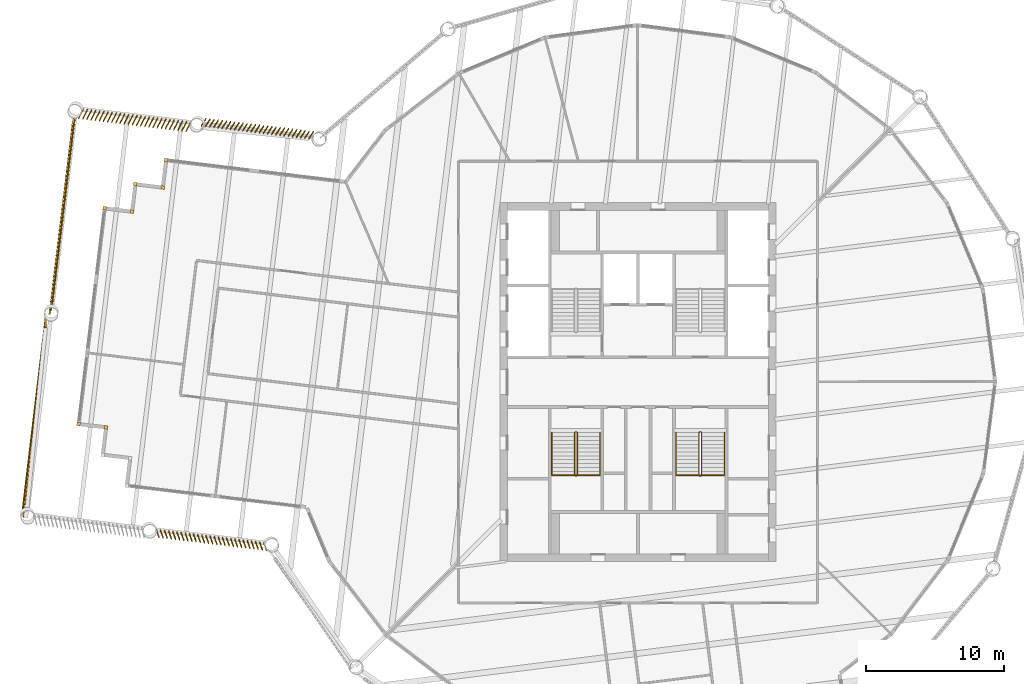
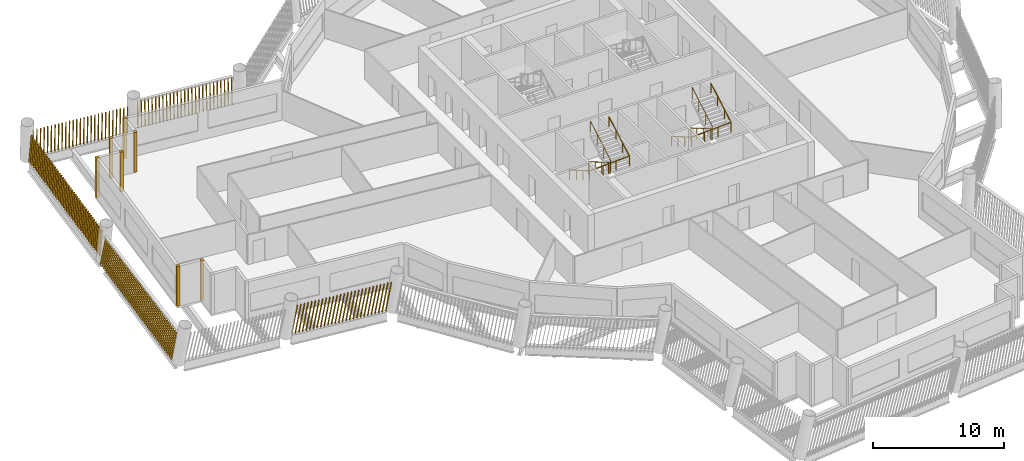
# One storey, part 11 of 14: 12 shading devices, 4 railings.
"""IFC4 building model written with IfcOpenShell, lengths in metres."""

from ifc_helpers import new_model, si_unit, direction, frame, frame_2d, origin, origin_2d, place, context, subcontext, project, spatial, rectangle, circle, composite_profile, extrude, material, type_object, element, save


model = new_model("IFC4")

# Units and contexts
model_context = context("Model", 3, precision=1e-05, world=origin(), true_north=direction((0.0, 1.0)))
body_context = subcontext(model_context, "Body", "Model", "MODEL_VIEW")
ifc_project = project(units=[si_unit("LENGTHUNIT", "METRE"), si_unit("AREAUNIT", "SQUARE_METRE"), si_unit("VOLUMEUNIT", "CUBIC_METRE"), si_unit("PLANEANGLEUNIT", "RADIAN"), si_unit("MASSUNIT", "GRAM", prefix="KILO")], contexts=[model_context])

# Site, building, storey
site_placement = place(None, origin())
site = spatial("IfcSite", under=ifc_project, at=site_placement, CompositionType="ELEMENT")
building_placement = place(site_placement, origin())
building = spatial("IfcBuilding", under=site, at=building_placement, Name="Tarsis Ring Headquarters", CompositionType="ELEMENT")
storey_placement = place(building_placement, frame((0.0, 0.0, 259.10009765625)))
storey = spatial("IfcBuildingStorey", under=building, at=storey_placement, Name="L60", CompositionType="ELEMENT", Elevation=259.10009765625)

# Railings
ifc_material_1 = material(Name="Steel S355", Category="steel")
railing_type_1 = type_object("IfcRailingType", Name="Core stair guard 1100", PredefinedType="GUARDRAIL", material=ifc_material_1)
railing_1_placement = place(storey_placement, frame((-4.4599609375, -3.610107421875, 0.0)))
element("IfcRailing", 1, at=railing_1_placement, inside=storey, type_object=railing_type_1, Name="L60 ST3 stair guard 1", PredefinedType="GUARDRAIL", context=body_context, shape_type="SweptSolid", body=[
    extrude(circle(Radius=0.02392578125, at=origin_2d()), frame((0.0, 0.0, 1.076171875), z_axis=(-1.0, 0.0, 0.0), x_axis=(0.0, -1.0, 0.0)), (0.0, 0.0, 1.0), 0.080078125),
    extrude(circle(Radius=0.02392578125, at=origin_2d()), frame((-0.080078125, 0.0, 1.076171875), z_axis=(-0.282693820306, -0.281314826061, 0.917031173188), x_axis=(0.705375805398, -0.708833529934, 0.0)), (0.0, 0.0, 1.0), 0.177001953125),
    extrude(circle(Radius=0.02392578125, at=origin_2d()), frame((-0.130126953125, -0.0498046875, 1.23828125), z_axis=(0.0, -0.864890721111, 0.501960198159), x_axis=(1.0, 0.0, 0.0)), (0.0, 0.0, 1.0), 3.561279296875),
    extrude(circle(Radius=0.02392578125, at=origin_2d()), frame((-0.130126953125, -3.1298828125, 3.02587890625), z_axis=(0.707106781187, -0.707106781187, 0.0), x_axis=(0.707106781187, 0.707106781187, 0.0)), (0.0, 0.0, 1.0), 0.07080078125),
    extrude(circle(Radius=0.02392578125, at=origin_2d()), frame((-0.080078125, -3.179931640625, 3.02587890625), z_axis=(1.0, 0.0, 0.0), x_axis=(0.0, 1.0, 0.0)), (0.0, 0.0, 1.0), 0.080078125),
    extrude(circle(Radius=0.02392578125, at=origin_2d()), frame((0.0, -3.179931640625, 3.02587890625), z_axis=(0.282583949758, 0.282583949758, 0.916674763849), x_axis=(-0.707106781187, 0.707106781187, 0.0)), (0.0, 0.0, 1.0), 0.177001953125),
    extrude(circle(Radius=0.02392578125, at=origin_2d()), frame((0.050048828125, -3.1298828125, 3.1884765625), z_axis=(0.0, 0.864890721111, 0.501960198159), x_axis=(-1.0, 0.0, 0.0)), (0.0, 0.0, 1.0), 3.561279296875),
    extrude(circle(Radius=0.02099609375, at=origin_2d()), origin(), (0.0, 0.0, 1.0), 1.052001953125),
    extrude(circle(Radius=0.02099609375, at=origin_2d()), frame((-0.080078125, 0.0, 0.0)), (0.0, 0.0, 1.0), 1.052001953125),
    extrude(circle(Radius=0.02099609375, at=origin_2d()), frame((-0.130126953125, -0.0498046875, 0.162353515625)), (0.0, 0.0, 1.0), 1.052001953125),
    extrude(circle(Radius=0.02099609375, at=origin_2d()), frame((-0.130126953125, -1.076416015625, 0.75830078125)), (0.0, 0.0, 1.0), 1.052001953125),
    extrude(circle(Radius=0.02099609375, at=origin_2d()), frame((-0.130126953125, -2.103271484375, 1.35400390625)), (0.0, 0.0, 1.0), 1.052001953125),
    extrude(circle(Radius=0.02099609375, at=origin_2d()), frame((-0.130126953125, -3.1298828125, 1.949951171875)), (0.0, 0.0, 1.0), 1.052001953125),
    extrude(circle(Radius=0.02099609375, at=origin_2d()), frame((-0.080078125, -3.179931640625, 1.949951171875)), (0.0, 0.0, 1.0), 1.052001953125),
    extrude(circle(Radius=0.02099609375, at=origin_2d()), frame((0.0, -3.179931640625, 1.949951171875)), (0.0, 0.0, 1.0), 1.052001953125),
    extrude(circle(Radius=0.02099609375, at=origin_2d()), frame((0.050048828125, -3.1298828125, 2.1123046875)), (0.0, 0.0, 1.0), 1.052001953125),
    extrude(circle(Radius=0.02099609375, at=origin_2d()), frame((0.050048828125, -2.103271484375, 2.708251953125)), (0.0, 0.0, 1.0), 1.052001953125),
    extrude(circle(Radius=0.02099609375, at=origin_2d()), frame((0.050048828125, -1.076416015625, 3.303955078125)), (0.0, 0.0, 1.0), 1.052001953125),
    extrude(circle(Radius=0.02099609375, at=origin_2d()), frame((0.050048828125, -0.0498046875, 3.89990234375)), (0.0, 0.0, 1.0), 1.052001953125),
])
railing_2_placement = place(storey_placement, frame((4.5400390625, -3.610107421875, 0.0)))
element("IfcRailing", 2, at=railing_2_placement, inside=storey, type_object=railing_type_1, Name="L60 ST4 stair guard 1", PredefinedType="GUARDRAIL", context=body_context, shape_type="SweptSolid", body=[
    extrude(circle(Radius=0.02392578125, at=origin_2d()), frame((0.0, 0.0, 1.076171875), z_axis=(-1.0, 0.0, 0.0), x_axis=(0.0, -1.0, 0.0)), (0.0, 0.0, 1.0), 0.080078125),
    extrude(circle(Radius=0.02392578125, at=origin_2d()), frame((-0.080078125, 0.0, 1.076171875), z_axis=(-0.282693820306, -0.281314826061, 0.917031173188), x_axis=(0.705375805398, -0.708833529934, 0.0)), (0.0, 0.0, 1.0), 0.177001953125),
    extrude(circle(Radius=0.02392578125, at=origin_2d()), frame((-0.130126953125, -0.0498046875, 1.23828125), z_axis=(0.0, -0.864890721111, 0.501960198159), x_axis=(1.0, 0.0, 0.0)), (0.0, 0.0, 1.0), 3.561279296875),
    extrude(circle(Radius=0.02392578125, at=origin_2d()), frame((-0.130126953125, -3.1298828125, 3.02587890625), z_axis=(0.707106781187, -0.707106781187, 0.0), x_axis=(0.707106781187, 0.707106781187, 0.0)), (0.0, 0.0, 1.0), 0.07080078125),
    extrude(circle(Radius=0.02392578125, at=origin_2d()), frame((-0.080078125, -3.179931640625, 3.02587890625), z_axis=(1.0, 0.0, 0.0), x_axis=(0.0, 1.0, 0.0)), (0.0, 0.0, 1.0), 0.080078125),
    extrude(circle(Radius=0.02392578125, at=origin_2d()), frame((0.0, -3.179931640625, 3.02587890625), z_axis=(0.282583949758, 0.282583949758, 0.916674763849), x_axis=(-0.707106781187, 0.707106781187, 0.0)), (0.0, 0.0, 1.0), 0.177001953125),
    extrude(circle(Radius=0.02392578125, at=origin_2d()), frame((0.050048828125, -3.1298828125, 3.1884765625), z_axis=(0.0, 0.864890721111, 0.501960198159), x_axis=(-1.0, 0.0, 0.0)), (0.0, 0.0, 1.0), 3.561279296875),
    extrude(circle(Radius=0.02099609375, at=origin_2d()), origin(), (0.0, 0.0, 1.0), 1.052001953125),
    extrude(circle(Radius=0.02099609375, at=origin_2d()), frame((-0.080078125, 0.0, 0.0)), (0.0, 0.0, 1.0), 1.052001953125),
    extrude(circle(Radius=0.02099609375, at=origin_2d()), frame((-0.130126953125, -0.0498046875, 0.162353515625)), (0.0, 0.0, 1.0), 1.052001953125),
    extrude(circle(Radius=0.02099609375, at=origin_2d()), frame((-0.130126953125, -1.076416015625, 0.75830078125)), (0.0, 0.0, 1.0), 1.052001953125),
    extrude(circle(Radius=0.02099609375, at=origin_2d()), frame((-0.130126953125, -2.103271484375, 1.35400390625)), (0.0, 0.0, 1.0), 1.052001953125),
    extrude(circle(Radius=0.02099609375, at=origin_2d()), frame((-0.130126953125, -3.1298828125, 1.949951171875)), (0.0, 0.0, 1.0), 1.052001953125),
    extrude(circle(Radius=0.02099609375, at=origin_2d()), frame((-0.080078125, -3.179931640625, 1.949951171875)), (0.0, 0.0, 1.0), 1.052001953125),
    extrude(circle(Radius=0.02099609375, at=origin_2d()), frame((0.0, -3.179931640625, 1.949951171875)), (0.0, 0.0, 1.0), 1.052001953125),
    extrude(circle(Radius=0.02099609375, at=origin_2d()), frame((0.050048828125, -3.1298828125, 2.1123046875)), (0.0, 0.0, 1.0), 1.052001953125),
    extrude(circle(Radius=0.02099609375, at=origin_2d()), frame((0.050048828125, -2.103271484375, 2.708251953125)), (0.0, 0.0, 1.0), 1.052001953125),
    extrude(circle(Radius=0.02099609375, at=origin_2d()), frame((0.050048828125, -1.076416015625, 3.303955078125)), (0.0, 0.0, 1.0), 1.052001953125),
    extrude(circle(Radius=0.02099609375, at=origin_2d()), frame((0.050048828125, -0.0498046875, 3.89990234375)), (0.0, 0.0, 1.0), 1.052001953125),
])
railing_type_2 = type_object("IfcRailingType", Name="Core stair handrail 900", PredefinedType="HANDRAIL", material=ifc_material_1)
railing_3_placement = place(storey_placement, frame((-6.25, -3.659912109375, 0.162353515625)))
element("IfcRailing", 3, at=railing_3_placement, inside=storey, type_object=railing_type_2, Name="L60 ST3 stair handrail 1", PredefinedType="HANDRAIL", context=body_context, shape_type="SweptSolid", body=[
    extrude(circle(Radius=0.02392578125, at=origin_2d()), frame((0.0, 0.0, 0.8759765625), z_axis=(0.0, -0.864890721111, 0.501960198159), x_axis=(1.0, 0.0, 0.0)), (0.0, 0.0, 1.0), 3.561279296875),
    extrude(circle(Radius=0.02392578125, at=origin_2d()), frame((0.0, -3.080078125, 2.66357421875), z_axis=(0.998925869279, 0.0, 0.04633689335), x_axis=(0.0, 1.0, 0.0)), (0.0, 0.0, 1.0), 3.503662109375),
    extrude(circle(Radius=0.02392578125, at=origin_2d()), frame((3.5, -3.080078125, 2.82568359375), z_axis=(0.0, 0.864890721111, 0.501960198159), x_axis=(-1.0, 0.0, 0.0)), (0.0, 0.0, 1.0), 3.561279296875),
    extrude(circle(Radius=0.02099609375, at=origin_2d()), origin(), (0.0, 0.0, 1.0), 0.851806640625),
    extrude(circle(Radius=0.02099609375, at=origin_2d()), frame((0.0, -1.026611328125, 0.595947265625)), (0.0, 0.0, 1.0), 0.851806640625),
    extrude(circle(Radius=0.02099609375, at=origin_2d()), frame((0.0, -2.053466796875, 1.191650390625)), (0.0, 0.0, 1.0), 0.851806640625),
    extrude(circle(Radius=0.02099609375, at=origin_2d()), frame((0.0, -3.080078125, 1.78759765625)), (0.0, 0.0, 1.0), 0.851806640625),
    extrude(circle(Radius=0.02099609375, at=origin_2d()), frame((1.166748046875, -3.080078125, 1.841796875)), (0.0, 0.0, 1.0), 0.851806640625),
    extrude(circle(Radius=0.02099609375, at=origin_2d()), frame((2.333251953125, -3.080078125, 1.895751953125)), (0.0, 0.0, 1.0), 0.851806640625),
    extrude(circle(Radius=0.02099609375, at=origin_2d()), frame((3.5, -3.080078125, 1.949951171875)), (0.0, 0.0, 1.0), 0.851806640625),
    extrude(circle(Radius=0.02099609375, at=origin_2d()), frame((3.5, -2.053466796875, 2.5458984375)), (0.0, 0.0, 1.0), 0.851806640625),
    extrude(circle(Radius=0.02099609375, at=origin_2d()), frame((3.5, -1.026611328125, 3.1416015625)), (0.0, 0.0, 1.0), 0.851806640625),
    extrude(circle(Radius=0.02099609375, at=origin_2d()), frame((3.5, 0.0, 3.737548828125)), (0.0, 0.0, 1.0), 0.851806640625),
])
railing_4_placement = place(storey_placement, frame((2.75, -3.659912109375, 0.162353515625)))
element("IfcRailing", 4, at=railing_4_placement, inside=storey, type_object=railing_type_2, Name="L60 ST4 stair handrail 1", PredefinedType="HANDRAIL", context=body_context, shape_type="SweptSolid", body=[
    extrude(circle(Radius=0.02392578125, at=origin_2d()), frame((0.0, 0.0, 0.8759765625), z_axis=(0.0, -0.864890721111, 0.501960198159), x_axis=(1.0, 0.0, 0.0)), (0.0, 0.0, 1.0), 3.561279296875),
    extrude(circle(Radius=0.02392578125, at=origin_2d()), frame((0.0, -3.080078125, 2.66357421875), z_axis=(0.998925869279, 0.0, 0.04633689335), x_axis=(0.0, 1.0, 0.0)), (0.0, 0.0, 1.0), 3.503662109375),
    extrude(circle(Radius=0.02392578125, at=origin_2d()), frame((3.5, -3.080078125, 2.82568359375), z_axis=(0.0, 0.864890721111, 0.501960198159), x_axis=(-1.0, 0.0, 0.0)), (0.0, 0.0, 1.0), 3.561279296875),
    extrude(circle(Radius=0.02099609375, at=origin_2d()), origin(), (0.0, 0.0, 1.0), 0.851806640625),
    extrude(circle(Radius=0.02099609375, at=origin_2d()), frame((0.0, -1.026611328125, 0.595947265625)), (0.0, 0.0, 1.0), 0.851806640625),
    extrude(circle(Radius=0.02099609375, at=origin_2d()), frame((0.0, -2.053466796875, 1.191650390625)), (0.0, 0.0, 1.0), 0.851806640625),
    extrude(circle(Radius=0.02099609375, at=origin_2d()), frame((0.0, -3.080078125, 1.78759765625)), (0.0, 0.0, 1.0), 0.851806640625),
    extrude(circle(Radius=0.02099609375, at=origin_2d()), frame((1.166748046875, -3.080078125, 1.841796875)), (0.0, 0.0, 1.0), 0.851806640625),
    extrude(circle(Radius=0.02099609375, at=origin_2d()), frame((2.333251953125, -3.080078125, 1.895751953125)), (0.0, 0.0, 1.0), 0.851806640625),
    extrude(circle(Radius=0.02099609375, at=origin_2d()), frame((3.5, -3.080078125, 1.949951171875)), (0.0, 0.0, 1.0), 0.851806640625),
    extrude(circle(Radius=0.02099609375, at=origin_2d()), frame((3.5, -2.053466796875, 2.5458984375)), (0.0, 0.0, 1.0), 0.851806640625),
    extrude(circle(Radius=0.02099609375, at=origin_2d()), frame((3.5, -1.026611328125, 3.1416015625)), (0.0, 0.0, 1.0), 0.851806640625),
    extrude(circle(Radius=0.02099609375, at=origin_2d()), frame((3.5, 0.0, 3.737548828125)), (0.0, 0.0, 1.0), 0.851806640625),
])

# Shading devices
ifc_material_2 = material(Name="Terracotta baguette", Category="masonry")
shading_device_type_1 = type_object("IfcShadingDeviceType", Name="Terracotta baguette screen", PredefinedType="USERDEFINED", material=ifc_material_2)
shading_device_1_placement = place(storey_placement, frame((-23.494140625, 18.119873046875, 0.0), z_axis=(0.0, 0.0, 1.0), x_axis=(-0.992801309976, 0.119782494516, 0.0)))
element("IfcShadingDevice", 5, at=shading_device_1_placement, inside=storey, type_object=shading_device_type_1, Name="Baguette screen L60-15", ObjectType="Terracotta baguette screen", PredefinedType="USERDEFINED", context=body_context, shape_type="SweptSolid", body=[
    extrude(composite_profile([rectangle(XDim=0.06005859375, YDim=0.1201171875, at=frame_2d((0.030029296875, 0.0))), rectangle(XDim=0.06005859375, YDim=0.1201171875, at=frame_2d((0.33154296875, 0.0))), rectangle(XDim=0.06005859375, YDim=0.1201171875, at=frame_2d((0.63330078125, 0.0))), rectangle(XDim=0.06005859375, YDim=0.1201171875, at=frame_2d((0.934814453125, 0.0))), rectangle(XDim=0.06005859375, YDim=0.1201171875, at=frame_2d((1.236572265625, 0.0))), rectangle(XDim=0.06005859375, YDim=0.1201171875, at=frame_2d((1.5380859375, 0.0))), rectangle(XDim=0.06005859375, YDim=0.1201171875, at=frame_2d((1.83984375, 0.0))), rectangle(XDim=0.06005859375, YDim=0.1201171875, at=frame_2d((2.141357421875, 0.0))), rectangle(XDim=0.06005859375, YDim=0.1201171875, at=frame_2d((2.443115234375, 0.0))), rectangle(XDim=0.06005859375, YDim=0.1201171875, at=frame_2d((2.74462890625, 0.0))), rectangle(XDim=0.06005859375, YDim=0.1201171875, at=frame_2d((3.04638671875, 0.0))), rectangle(XDim=0.06005859375, YDim=0.1201171875, at=frame_2d((3.347900390625, 0.0))), rectangle(XDim=0.06005859375, YDim=0.1201171875, at=frame_2d((3.649658203125, 0.0))), rectangle(XDim=0.06005859375, YDim=0.1201171875, at=frame_2d((3.951171875, 0.0))), rectangle(XDim=0.06005859375, YDim=0.1201171875, at=frame_2d((4.252685546875, 0.0))), rectangle(XDim=0.06005859375, YDim=0.1201171875, at=frame_2d((4.554443359375, 0.0))), rectangle(XDim=0.06005859375, YDim=0.1201171875, at=frame_2d((4.85595703125, 0.0))), rectangle(XDim=0.06005859375, YDim=0.1201171875, at=frame_2d((5.15771484375, 0.0))), rectangle(XDim=0.06005859375, YDim=0.1201171875, at=frame_2d((5.459228515625, 0.0))), rectangle(XDim=0.06005859375, YDim=0.1201171875, at=frame_2d((5.760986328125, 0.0))), rectangle(XDim=0.06005859375, YDim=0.1201171875, at=frame_2d((6.0625, 0.0))), rectangle(XDim=0.06005859375, YDim=0.1201171875, at=frame_2d((6.3642578125, 0.0))), rectangle(XDim=0.06005859375, YDim=0.1201171875, at=frame_2d((6.665771484375, 0.0))), rectangle(XDim=0.06005859375, YDim=0.1201171875, at=frame_2d((6.967529296875, 0.0))), rectangle(XDim=0.06005859375, YDim=0.1201171875, at=frame_2d((7.26904296875, 0.0))), rectangle(XDim=0.06005859375, YDim=0.1201171875, at=frame_2d((7.57080078125, 0.0))), rectangle(XDim=0.06005859375, YDim=0.1201171875, at=frame_2d((7.872314453125, 0.0)))]), origin(), (0.086109995148, 0.170733713271, 0.981547282554), 3.023681640625),
])
shading_device_2_placement = place(storey_placement, frame((-32.377197265625, 18.81396484375, 0.0), z_axis=(0.0, 0.0, 1.0), x_axis=(-0.992801309976, 0.119782494516, 0.0)))
element("IfcShadingDevice", 6, at=shading_device_2_placement, inside=storey, type_object=shading_device_type_1, Name="Baguette screen L60-16", ObjectType="Terracotta baguette screen", PredefinedType="USERDEFINED", context=body_context, shape_type="SweptSolid", body=[
    extrude(composite_profile([rectangle(XDim=0.06005859375, YDim=0.1201171875, at=frame_2d((0.030029296875, 0.0))), rectangle(XDim=0.06005859375, YDim=0.1201171875, at=frame_2d((0.33154296875, 0.0))), rectangle(XDim=0.06005859375, YDim=0.1201171875, at=frame_2d((0.63330078125, 0.0))), rectangle(XDim=0.06005859375, YDim=0.1201171875, at=frame_2d((0.934814453125, 0.0))), rectangle(XDim=0.06005859375, YDim=0.1201171875, at=frame_2d((1.236572265625, 0.0))), rectangle(XDim=0.06005859375, YDim=0.1201171875, at=frame_2d((1.5380859375, 0.0))), rectangle(XDim=0.06005859375, YDim=0.1201171875, at=frame_2d((1.83984375, 0.0))), rectangle(XDim=0.06005859375, YDim=0.1201171875, at=frame_2d((2.141357421875, 0.0))), rectangle(XDim=0.06005859375, YDim=0.1201171875, at=frame_2d((2.443115234375, 0.0))), rectangle(XDim=0.06005859375, YDim=0.1201171875, at=frame_2d((2.74462890625, 0.0))), rectangle(XDim=0.06005859375, YDim=0.1201171875, at=frame_2d((3.04638671875, 0.0))), rectangle(XDim=0.06005859375, YDim=0.1201171875, at=frame_2d((3.347900390625, 0.0))), rectangle(XDim=0.06005859375, YDim=0.1201171875, at=frame_2d((3.649658203125, 0.0))), rectangle(XDim=0.06005859375, YDim=0.1201171875, at=frame_2d((3.951171875, 0.0))), rectangle(XDim=0.06005859375, YDim=0.1201171875, at=frame_2d((4.252685546875, 0.0))), rectangle(XDim=0.06005859375, YDim=0.1201171875, at=frame_2d((4.554443359375, 0.0))), rectangle(XDim=0.06005859375, YDim=0.1201171875, at=frame_2d((4.85595703125, 0.0))), rectangle(XDim=0.06005859375, YDim=0.1201171875, at=frame_2d((5.15771484375, 0.0))), rectangle(XDim=0.06005859375, YDim=0.1201171875, at=frame_2d((5.459228515625, 0.0))), rectangle(XDim=0.06005859375, YDim=0.1201171875, at=frame_2d((5.760986328125, 0.0))), rectangle(XDim=0.06005859375, YDim=0.1201171875, at=frame_2d((6.0625, 0.0))), rectangle(XDim=0.06005859375, YDim=0.1201171875, at=frame_2d((6.3642578125, 0.0))), rectangle(XDim=0.06005859375, YDim=0.1201171875, at=frame_2d((6.665771484375, 0.0))), rectangle(XDim=0.06005859375, YDim=0.1201171875, at=frame_2d((6.967529296875, 0.0))), rectangle(XDim=0.06005859375, YDim=0.1201171875, at=frame_2d((7.26904296875, 0.0))), rectangle(XDim=0.06005859375, YDim=0.1201171875, at=frame_2d((7.57080078125, 0.0))), rectangle(XDim=0.06005859375, YDim=0.1201171875, at=frame_2d((7.872314453125, 0.0)))]), origin(), (0.082685539165, 0.219940251281, 0.972002771333), 3.05322265625),
])
shading_device_3_placement = place(storey_placement, frame((-40.77880859375, 19.323974609375, 0.0), z_axis=(0.0, 0.0, 1.0), x_axis=(-0.119789823792, -0.992799518788, 0.0)))
element("IfcShadingDevice", 7, at=shading_device_3_placement, inside=storey, type_object=shading_device_type_1, Name="Baguette screen L60-17", ObjectType="Terracotta baguette screen", PredefinedType="USERDEFINED", context=body_context, shape_type="SweptSolid", body=[
    extrude(composite_profile([rectangle(XDim=0.06005859375, YDim=0.1201171875, at=frame_2d((0.030029296875, 0.0))), rectangle(XDim=0.06005859375, YDim=0.1201171875, at=frame_2d((0.33544921875, 0.0))), rectangle(XDim=0.06005859375, YDim=0.1201171875, at=frame_2d((0.640625, 0.0))), rectangle(XDim=0.06005859375, YDim=0.1201171875, at=frame_2d((0.946044921875, 0.0))), rectangle(XDim=0.06005859375, YDim=0.1201171875, at=frame_2d((1.25146484375, 0.0))), rectangle(XDim=0.06005859375, YDim=0.1201171875, at=frame_2d((1.556640625, 0.0))), rectangle(XDim=0.06005859375, YDim=0.1201171875, at=frame_2d((1.862060546875, 0.0))), rectangle(XDim=0.06005859375, YDim=0.1201171875, at=frame_2d((2.16748046875, 0.0))), rectangle(XDim=0.06005859375, YDim=0.1201171875, at=frame_2d((2.47265625, 0.0))), rectangle(XDim=0.06005859375, YDim=0.1201171875, at=frame_2d((2.778076171875, 0.0))), rectangle(XDim=0.06005859375, YDim=0.1201171875, at=frame_2d((3.08349609375, 0.0))), rectangle(XDim=0.06005859375, YDim=0.1201171875, at=frame_2d((3.388671875, 0.0))), rectangle(XDim=0.06005859375, YDim=0.1201171875, at=frame_2d((3.694091796875, 0.0))), rectangle(XDim=0.06005859375, YDim=0.1201171875, at=frame_2d((3.99951171875, 0.0))), rectangle(XDim=0.06005859375, YDim=0.1201171875, at=frame_2d((4.3046875, 0.0))), rectangle(XDim=0.06005859375, YDim=0.1201171875, at=frame_2d((4.610107421875, 0.0))), rectangle(XDim=0.06005859375, YDim=0.1201171875, at=frame_2d((4.91552734375, 0.0))), rectangle(XDim=0.06005859375, YDim=0.1201171875, at=frame_2d((5.220703125, 0.0))), rectangle(XDim=0.06005859375, YDim=0.1201171875, at=frame_2d((5.526123046875, 0.0))), rectangle(XDim=0.06005859375, YDim=0.1201171875, at=frame_2d((5.83154296875, 0.0))), rectangle(XDim=0.06005859375, YDim=0.1201171875, at=frame_2d((6.13671875, 0.0))), rectangle(XDim=0.06005859375, YDim=0.1201171875, at=frame_2d((6.442138671875, 0.0))), rectangle(XDim=0.06005859375, YDim=0.1201171875, at=frame_2d((6.74755859375, 0.0))), rectangle(XDim=0.06005859375, YDim=0.1201171875, at=frame_2d((7.052734375, 0.0))), rectangle(XDim=0.06005859375, YDim=0.1201171875, at=frame_2d((7.358154296875, 0.0))), rectangle(XDim=0.06005859375, YDim=0.1201171875, at=frame_2d((7.66357421875, 0.0))), rectangle(XDim=0.06005859375, YDim=0.1201171875, at=frame_2d((7.96875, 0.0))), rectangle(XDim=0.06005859375, YDim=0.1201171875, at=frame_2d((8.274169921875, 0.0))), rectangle(XDim=0.06005859375, YDim=0.1201171875, at=frame_2d((8.57958984375, 0.0))), rectangle(XDim=0.06005859375, YDim=0.1201171875, at=frame_2d((8.884765625, 0.0))), rectangle(XDim=0.06005859375, YDim=0.1201171875, at=frame_2d((9.190185546875, 0.0))), rectangle(XDim=0.06005859375, YDim=0.1201171875, at=frame_2d((9.49560546875, 0.0))), rectangle(XDim=0.06005859375, YDim=0.1201171875, at=frame_2d((9.80078125, 0.0))), rectangle(XDim=0.06005859375, YDim=0.1201171875, at=frame_2d((10.106201171875, 0.0))), rectangle(XDim=0.06005859375, YDim=0.1201171875, at=frame_2d((10.41162109375, 0.0))), rectangle(XDim=0.06005859375, YDim=0.1201171875, at=frame_2d((10.716796875, 0.0))), rectangle(XDim=0.06005859375, YDim=0.1201171875, at=frame_2d((11.022216796875, 0.0))), rectangle(XDim=0.06005859375, YDim=0.1201171875, at=frame_2d((11.32763671875, 0.0))), rectangle(XDim=0.06005859375, YDim=0.1201171875, at=frame_2d((11.6328125, 0.0))), rectangle(XDim=0.06005859375, YDim=0.1201171875, at=frame_2d((11.938232421875, 0.0))), rectangle(XDim=0.06005859375, YDim=0.1201171875, at=frame_2d((12.24365234375, 0.0))), rectangle(XDim=0.06005859375, YDim=0.1201171875, at=frame_2d((12.548828125, 0.0))), rectangle(XDim=0.06005859375, YDim=0.1201171875, at=frame_2d((12.854248046875, 0.0))), rectangle(XDim=0.06005859375, YDim=0.1201171875, at=frame_2d((13.15966796875, 0.0))), rectangle(XDim=0.06005859375, YDim=0.1201171875, at=frame_2d((13.46484375, 0.0))), rectangle(XDim=0.06005859375, YDim=0.1201171875, at=frame_2d((13.770263671875, 0.0)))]), origin(), (0.244229293889, -0.040034943483, 0.968890734452), 3.06298828125),
])
shading_device_4_placement = place(storey_placement, frame((-42.924072265625, 4.675537109375, 0.0), z_axis=(0.0, 0.0, 1.0), x_axis=(-0.119787704556, -0.992799646174, 0.0)))
element("IfcShadingDevice", 8, at=shading_device_4_placement, inside=storey, type_object=shading_device_type_1, Name="Baguette screen L60-18", ObjectType="Terracotta baguette screen", PredefinedType="USERDEFINED", context=body_context, shape_type="SweptSolid", body=[
    extrude(composite_profile([rectangle(XDim=0.06005859375, YDim=0.1201171875, at=frame_2d((0.030029296875, 0.0))), rectangle(XDim=0.06005859375, YDim=0.1201171875, at=frame_2d((0.33544921875, 0.0))), rectangle(XDim=0.06005859375, YDim=0.1201171875, at=frame_2d((0.640625, 0.0))), rectangle(XDim=0.06005859375, YDim=0.1201171875, at=frame_2d((0.946044921875, 0.0))), rectangle(XDim=0.06005859375, YDim=0.1201171875, at=frame_2d((1.25146484375, 0.0))), rectangle(XDim=0.06005859375, YDim=0.1201171875, at=frame_2d((1.556640625, 0.0))), rectangle(XDim=0.06005859375, YDim=0.1201171875, at=frame_2d((1.862060546875, 0.0))), rectangle(XDim=0.06005859375, YDim=0.1201171875, at=frame_2d((2.16748046875, 0.0))), rectangle(XDim=0.06005859375, YDim=0.1201171875, at=frame_2d((2.47265625, 0.0))), rectangle(XDim=0.06005859375, YDim=0.1201171875, at=frame_2d((2.778076171875, 0.0))), rectangle(XDim=0.06005859375, YDim=0.1201171875, at=frame_2d((3.08349609375, 0.0))), rectangle(XDim=0.06005859375, YDim=0.1201171875, at=frame_2d((3.388671875, 0.0))), rectangle(XDim=0.06005859375, YDim=0.1201171875, at=frame_2d((3.694091796875, 0.0))), rectangle(XDim=0.06005859375, YDim=0.1201171875, at=frame_2d((3.99951171875, 0.0))), rectangle(XDim=0.06005859375, YDim=0.1201171875, at=frame_2d((4.3046875, 0.0))), rectangle(XDim=0.06005859375, YDim=0.1201171875, at=frame_2d((4.610107421875, 0.0))), rectangle(XDim=0.06005859375, YDim=0.1201171875, at=frame_2d((4.91552734375, 0.0))), rectangle(XDim=0.06005859375, YDim=0.1201171875, at=frame_2d((5.220703125, 0.0))), rectangle(XDim=0.06005859375, YDim=0.1201171875, at=frame_2d((5.526123046875, 0.0))), rectangle(XDim=0.06005859375, YDim=0.1201171875, at=frame_2d((5.83154296875, 0.0))), rectangle(XDim=0.06005859375, YDim=0.1201171875, at=frame_2d((6.13671875, 0.0))), rectangle(XDim=0.06005859375, YDim=0.1201171875, at=frame_2d((6.442138671875, 0.0))), rectangle(XDim=0.06005859375, YDim=0.1201171875, at=frame_2d((6.74755859375, 0.0))), rectangle(XDim=0.06005859375, YDim=0.1201171875, at=frame_2d((7.052734375, 0.0))), rectangle(XDim=0.06005859375, YDim=0.1201171875, at=frame_2d((7.358154296875, 0.0))), rectangle(XDim=0.06005859375, YDim=0.1201171875, at=frame_2d((7.66357421875, 0.0))), rectangle(XDim=0.06005859375, YDim=0.1201171875, at=frame_2d((7.96875, 0.0))), rectangle(XDim=0.06005859375, YDim=0.1201171875, at=frame_2d((8.274169921875, 0.0))), rectangle(XDim=0.06005859375, YDim=0.1201171875, at=frame_2d((8.57958984375, 0.0))), rectangle(XDim=0.06005859375, YDim=0.1201171875, at=frame_2d((8.884765625, 0.0))), rectangle(XDim=0.06005859375, YDim=0.1201171875, at=frame_2d((9.190185546875, 0.0))), rectangle(XDim=0.06005859375, YDim=0.1201171875, at=frame_2d((9.49560546875, 0.0))), rectangle(XDim=0.06005859375, YDim=0.1201171875, at=frame_2d((9.80078125, 0.0))), rectangle(XDim=0.06005859375, YDim=0.1201171875, at=frame_2d((10.106201171875, 0.0))), rectangle(XDim=0.06005859375, YDim=0.1201171875, at=frame_2d((10.41162109375, 0.0))), rectangle(XDim=0.06005859375, YDim=0.1201171875, at=frame_2d((10.716796875, 0.0))), rectangle(XDim=0.06005859375, YDim=0.1201171875, at=frame_2d((11.022216796875, 0.0))), rectangle(XDim=0.06005859375, YDim=0.1201171875, at=frame_2d((11.32763671875, 0.0))), rectangle(XDim=0.06005859375, YDim=0.1201171875, at=frame_2d((11.6328125, 0.0))), rectangle(XDim=0.06005859375, YDim=0.1201171875, at=frame_2d((11.938232421875, 0.0))), rectangle(XDim=0.06005859375, YDim=0.1201171875, at=frame_2d((12.24365234375, 0.0))), rectangle(XDim=0.06005859375, YDim=0.1201171875, at=frame_2d((12.548828125, 0.0))), rectangle(XDim=0.06005859375, YDim=0.1201171875, at=frame_2d((12.854248046875, 0.0))), rectangle(XDim=0.06005859375, YDim=0.1201171875, at=frame_2d((13.15966796875, 0.0))), rectangle(XDim=0.06005859375, YDim=0.1201171875, at=frame_2d((13.46484375, 0.0))), rectangle(XDim=0.06005859375, YDim=0.1201171875, at=frame_2d((13.770263671875, 0.0)))]), origin(), (0.245501762275, 0.0442858164, 0.968384041166), 3.064697265625),
])
shading_device_5_placement = place(storey_placement, frame((-34.93017578125, -10.692626953125, 0.0), z_axis=(0.0, 0.0, 1.0), x_axis=(0.992801532378, -0.119809688581, 0.0)))
element("IfcShadingDevice", 9, at=shading_device_5_placement, inside=storey, type_object=shading_device_type_1, Name="Baguette screen L60-20", ObjectType="Terracotta baguette screen", PredefinedType="USERDEFINED", context=body_context, shape_type="SweptSolid", body=[
    extrude(composite_profile([rectangle(XDim=0.06005859375, YDim=0.1201171875, at=frame_2d((0.030029296875, 0.0))), rectangle(XDim=0.06005859375, YDim=0.1201171875, at=frame_2d((0.33154296875, 0.0))), rectangle(XDim=0.06005859375, YDim=0.1201171875, at=frame_2d((0.63330078125, 0.0))), rectangle(XDim=0.06005859375, YDim=0.1201171875, at=frame_2d((0.934814453125, 0.0))), rectangle(XDim=0.06005859375, YDim=0.1201171875, at=frame_2d((1.236572265625, 0.0))), rectangle(XDim=0.06005859375, YDim=0.1201171875, at=frame_2d((1.5380859375, 0.0))), rectangle(XDim=0.06005859375, YDim=0.1201171875, at=frame_2d((1.83984375, 0.0))), rectangle(XDim=0.06005859375, YDim=0.1201171875, at=frame_2d((2.141357421875, 0.0))), rectangle(XDim=0.06005859375, YDim=0.1201171875, at=frame_2d((2.443115234375, 0.0))), rectangle(XDim=0.06005859375, YDim=0.1201171875, at=frame_2d((2.74462890625, 0.0))), rectangle(XDim=0.06005859375, YDim=0.1201171875, at=frame_2d((3.04638671875, 0.0))), rectangle(XDim=0.06005859375, YDim=0.1201171875, at=frame_2d((3.347900390625, 0.0))), rectangle(XDim=0.06005859375, YDim=0.1201171875, at=frame_2d((3.649658203125, 0.0))), rectangle(XDim=0.06005859375, YDim=0.1201171875, at=frame_2d((3.951171875, 0.0))), rectangle(XDim=0.06005859375, YDim=0.1201171875, at=frame_2d((4.252685546875, 0.0))), rectangle(XDim=0.06005859375, YDim=0.1201171875, at=frame_2d((4.554443359375, 0.0))), rectangle(XDim=0.06005859375, YDim=0.1201171875, at=frame_2d((4.85595703125, 0.0))), rectangle(XDim=0.06005859375, YDim=0.1201171875, at=frame_2d((5.15771484375, 0.0))), rectangle(XDim=0.06005859375, YDim=0.1201171875, at=frame_2d((5.459228515625, 0.0))), rectangle(XDim=0.06005859375, YDim=0.1201171875, at=frame_2d((5.760986328125, 0.0))), rectangle(XDim=0.06005859375, YDim=0.1201171875, at=frame_2d((6.0625, 0.0))), rectangle(XDim=0.06005859375, YDim=0.1201171875, at=frame_2d((6.3642578125, 0.0))), rectangle(XDim=0.06005859375, YDim=0.1201171875, at=frame_2d((6.665771484375, 0.0))), rectangle(XDim=0.06005859375, YDim=0.1201171875, at=frame_2d((6.967529296875, 0.0))), rectangle(XDim=0.06005859375, YDim=0.1201171875, at=frame_2d((7.26904296875, 0.0))), rectangle(XDim=0.06005859375, YDim=0.1201171875, at=frame_2d((7.57080078125, 0.0))), rectangle(XDim=0.06005859375, YDim=0.1201171875, at=frame_2d((7.872314453125, 0.0)))]), origin(), (0.086930565649, -0.16925508376, 0.981731018853), 3.02294921875),
])
shading_device_type_2 = type_object("IfcShadingDeviceType", Name="Terracotta corner baguette 250x250", PredefinedType="USERDEFINED", material=ifc_material_2)
for number, where, z_axis, x_axis, name in (
    (10, (-34.194091796875, 16.0869140625, 0.0), (0.0, 0.0, 1.0), (-0.992799217114, 0.119790293837, 0.0), "Corner baguette L60-32"),
    (11, (-34.433837890625, 14.101318359375, 0.0), (0.0, 0.0, 1.0), (-0.119790519096, -0.992799189935, 0.0), "Corner baguette L60-33"),
    (12, (-36.41943359375, 14.341064453125, 0.0), (0.0, 0.0, 1.0), (-0.992799248475, 0.119790033922, 0.0), "Corner baguette L60-34"),
    (13, (-36.658935546875, 12.35546875, 0.0), (0.0, 0.0, 1.0), (-0.119790519096, -0.992799189935, 0.0), "Corner baguette L60-35"),
    (14, (-38.64453125, 12.594970703125, 0.0), (0.0, 0.0, 1.0), (-0.992799189935, 0.119790519096, 0.0), "Corner baguette L60-36"),
    (15, (-40.53125, -3.041748046875, 0.0), (0.0, 0.0, 1.0), (-0.119790311164, -0.992799215023, 0.0), "Corner baguette L60-37"),
    (16, (-38.545654296875, -3.28125, 0.0), (0.0, 0.0, 1.0), (0.992799248475, -0.119790033922, 0.0), "Corner baguette L60-38"),
):
    element("IfcShadingDevice", number, at=place(storey_placement, frame(where, z_axis=z_axis, x_axis=x_axis)), inside=storey, type_object=shading_device_type_2, Name=name, ObjectType="Terracotta corner baguette", PredefinedType="USERDEFINED", context=body_context, shape_type="SweptSolid", body=[
        extrude(rectangle(XDim=0.25, YDim=0.25, at=origin_2d()), origin(), (0.0, 0.0, 1.0), 3.739990234375),
    ])

save(model, "model.ifc")
